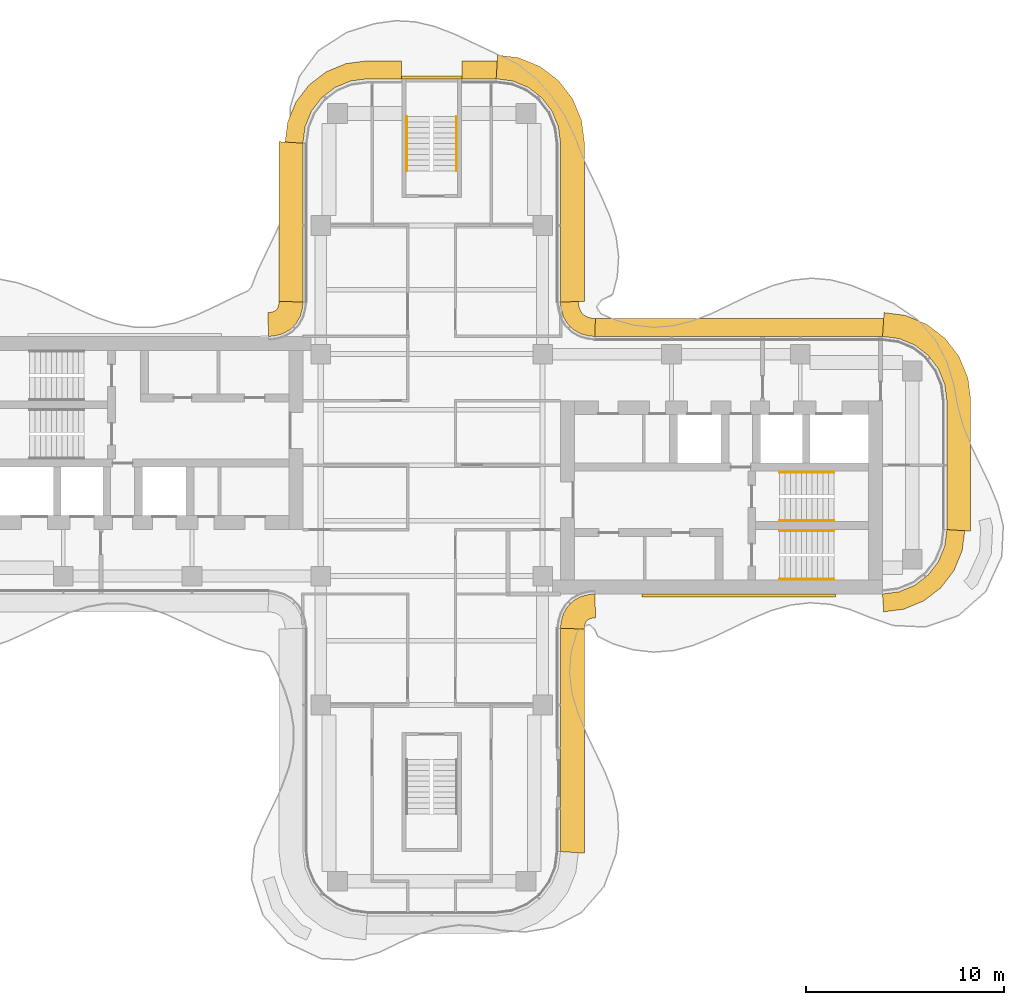
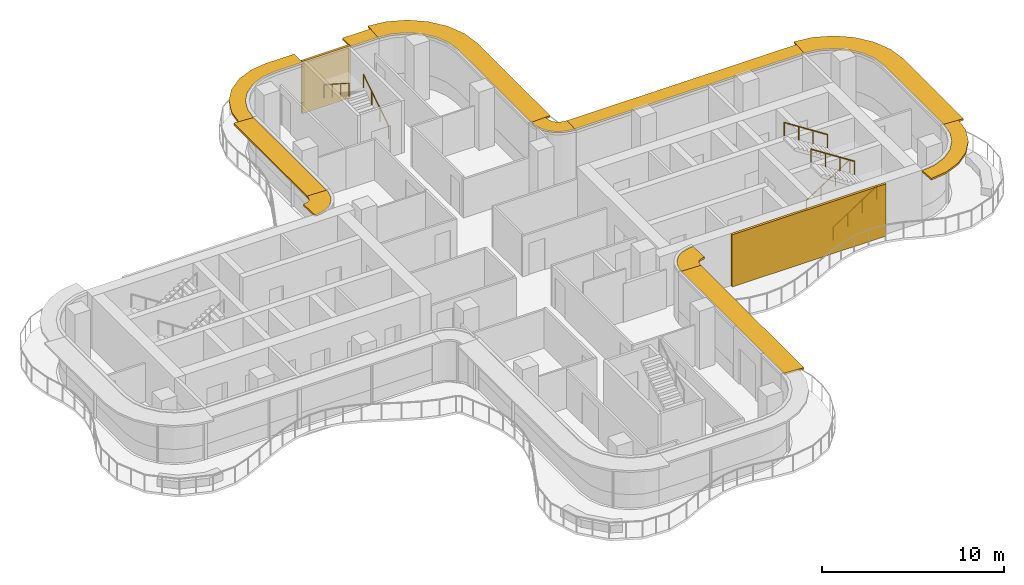
# One storey, part 15 of 15: 11 shading devices, 6 railings, 2 coverings.
"""IFC4 building model written with IfcOpenShell, lengths in metres."""

import ifcopenshell
import ifcopenshell.guid

model = None  # the IFC model being written
_history = None  # IfcOwnerHistory: only IFC2X3 demands one
_inside = {}  # id of a spatial element -> (the spatial element, [elements in it])
_under = {}  # id of a project, library or spatial element -> (it, [spatial elements below it])
_declared = {}  # id of a project -> (the project, [libraries it declares])
_typed = {}  # id of a type object -> (the type object, [elements of that type])
_made_of = {}  # id of a material, layer set ... -> (it, [elements and type objects made of it])


def new_model(schema):
    """Start an empty IFC model of exactly this schema.

    Asked for "IFC4X3", IfcOpenShell would pick the latest addendum, in which some entities
    have other attributes; the version numbers below select the first issue.
    IFC2X3 requires an IfcOwnerHistory on every rooted entity: one is made here for all.
    """
    global model, _history
    if schema == "IFC4X3":
        model = ifcopenshell.file(schema_version=(4, 3, 0, 0))
    else:
        model = ifcopenshell.file(schema=schema)
    _inside.clear()
    _under.clear()
    _declared.clear()
    _typed.clear()
    _made_of.clear()
    _history = None
    if model.schema == "IFC2X3":
        org = make("IfcOrganization", Name="unknown")
        user = make(
            "IfcPersonAndOrganization",
            ThePerson=make("IfcPerson", FamilyName="unknown"),
            TheOrganization=org,
        )
        app = make(
            "IfcApplication",
            ApplicationDeveloper=org,
            Version="unknown",
            ApplicationFullName="unknown",
            ApplicationIdentifier="unknown",
        )
        _history = make(
            "IfcOwnerHistory",
            OwningUser=user,
            OwningApplication=app,
            ChangeAction="ADDED",
            CreationDate=0,
        )
    return model


def make(cls, **values):
    """One entity of the class cls with the attributes given. An attribute that is None is left unset."""
    return model.create_entity(
        cls, **{name: value for name, value in values.items() if value is not None}
    )


def rooted(cls, **values):
    """An entity with a GlobalId (a new one), such as an element, a storey or a relation."""
    return make(cls, GlobalId=ifcopenshell.guid.new(), OwnerHistory=_history, **values)


def si_unit(unit_type, name, prefix=None):
    """IfcSIUnit, for example si_unit("LENGTHUNIT", "METRE", prefix="MILLI")."""
    return make("IfcSIUnit", UnitType=unit_type, Prefix=prefix, Name=name)


def assignment(units):
    """IfcUnitAssignment: the units of a project."""
    return None if units is None else make("IfcUnitAssignment", Units=units)


def point(xyz):
    """IfcCartesianPoint."""
    return None if xyz is None else make("IfcCartesianPoint", Coordinates=xyz)


def direction(xyz):
    """IfcDirection."""
    return None if xyz is None else make("IfcDirection", DirectionRatios=xyz)


def frame(location, z_axis=None, x_axis=None):
    """IfcAxis2Placement3D, a coordinate frame: its origin and axes. An axis left out is left unset."""
    return make(
        "IfcAxis2Placement3D",
        Location=point(location),
        Axis=direction(z_axis),
        RefDirection=direction(x_axis),
    )


def frame_2d(location, x_axis=None):
    """IfcAxis2Placement2D, a coordinate frame in the plane: its origin and x axis."""
    return make(
        "IfcAxis2Placement2D", Location=point(location), RefDirection=direction(x_axis)
    )


def origin():
    """The frame at (0, 0, 0) with its axes left unset."""
    return frame((0.0, 0.0, 0.0))


def origin_2d():
    """The frame at (0, 0) in the plane with its x axis left unset."""
    return frame_2d((0.0, 0.0))


def place(relative_to, where):
    """IfcLocalPlacement: puts the frame where relative to a parent placement (None: the world)."""
    return make(
        "IfcLocalPlacement", PlacementRelTo=relative_to, RelativePlacement=where
    )


def context(
    kind, dimensions, precision=None, world=None, true_north=None, identifier=None
):
    """IfcGeometricRepresentationContext, for example the 3D "Model" context."""
    return make(
        "IfcGeometricRepresentationContext",
        ContextIdentifier=identifier,
        ContextType=kind,
        CoordinateSpaceDimension=dimensions,
        Precision=precision,
        WorldCoordinateSystem=world,
        TrueNorth=true_north,
    )


def subcontext(parent, identifier, kind, view, scale=None):
    """IfcGeometricRepresentationSubContext, for example "Body" below "Model"."""
    return make(
        "IfcGeometricRepresentationSubContext",
        ContextIdentifier=identifier,
        ContextType=kind,
        ParentContext=parent,
        TargetScale=scale,
        TargetView=view,
    )


def project(units=None, contexts=None):
    """IfcProject with its units and contexts."""
    return rooted(
        "IfcProject",
        Name="project",
        RepresentationContexts=contexts,
        UnitsInContext=assignment(units),
    )


def spatial(cls, under=None, at=None, **own):
    """A site, building, storey or space (cls), placed at a placement, below another one or the project."""
    s = rooted(cls, ObjectPlacement=at, **own)
    if under is not None:
        _under.setdefault(under.id(), (under, []))[1].append(s)
    return s


def polyline(points):
    """IfcPolyline through the points."""
    return make("IfcPolyline", Points=[point(p) for p in points])


def profile(cls, at=None, kind="AREA", **sizes):
    """A parametric profile (cls). Its sizes go by their IFC names, for example OverallWidth=200.0."""
    return make(cls, ProfileType=kind, Position=at, **sizes)


def circle(**sizes):
    """IfcCircleProfileDef."""
    return profile("IfcCircleProfileDef", **sizes)


def outline(outer, holes=None, kind="AREA"):
    """IfcArbitraryClosedProfileDef: a profile drawn as a closed curve; with holes, ...WithVoids."""
    if holes is None:
        return make("IfcArbitraryClosedProfileDef", ProfileType=kind, OuterCurve=outer)
    return make(
        "IfcArbitraryProfileDefWithVoids",
        ProfileType=kind,
        OuterCurve=outer,
        InnerCurves=holes,
    )


def extrude(swept, where, along, depth):
    """IfcExtrudedAreaSolid: the profile swept, set in the frame where, extruded along a direction by depth."""
    return make(
        "IfcExtrudedAreaSolid",
        SweptArea=swept,
        Position=where,
        ExtrudedDirection=direction(along),
        Depth=depth,
    )


def shape(context_of_items, identifier, shape_type, items):
    """IfcShapeRepresentation: the items that make up one representation, for example the "Body"."""
    return make(
        "IfcShapeRepresentation",
        ContextOfItems=context_of_items,
        RepresentationIdentifier=identifier,
        RepresentationType=shape_type,
        Items=items,
    )


def source(mapping_origin, context_of_items, identifier, shape_type, items):
    """IfcRepresentationMap: a shape defined once, which mapped items show again and again."""
    return make(
        "IfcRepresentationMap",
        MappingOrigin=mapping_origin,
        MappedRepresentation=shape(context_of_items, identifier, shape_type, items),
    )


def transform(
    local_origin,
    x_axis=None,
    y_axis=None,
    z_axis=None,
    scale=None,
    scale2=None,
    scale3=None,
    uniform=True,
):
    """IfcCartesianTransformationOperator3D, or its non-uniform kind. x_axis, y_axis, z_axis: its Axis1, 2, 3."""
    if uniform:
        return make(
            "IfcCartesianTransformationOperator3D",
            Axis1=direction(x_axis),
            Axis2=direction(y_axis),
            LocalOrigin=point(local_origin),
            Scale=scale,
            Axis3=direction(z_axis),
        )
    return make(
        "IfcCartesianTransformationOperator3DnonUniform",
        Axis1=direction(x_axis),
        Axis2=direction(y_axis),
        LocalOrigin=point(local_origin),
        Scale=scale,
        Axis3=direction(z_axis),
        Scale2=scale2,
        Scale3=scale3,
    )


def mapped(mapping_source, mapping_target):
    """IfcMappedItem: shows the shape of a source again, moved by a transform."""
    return make(
        "IfcMappedItem", MappingSource=mapping_source, MappingTarget=mapping_target
    )


def material(Name=None, Category=None):
    """IfcMaterial."""
    return make("IfcMaterial", Name=Name, Category=Category)


def layer(
    of_material, thickness, ventilated=None, Name=None, Category=None, Priority=None
):
    """IfcMaterialLayer: one layer of a wall or slab, of a material (None: an air gap)."""
    return make(
        "IfcMaterialLayer",
        Material=of_material,
        LayerThickness=thickness,
        IsVentilated=ventilated,
        Name=Name,
        Category=Category,
        Priority=Priority,
    )


def layer_set(layers, Name=None):
    """IfcMaterialLayerSet."""
    return make("IfcMaterialLayerSet", MaterialLayers=layers, LayerSetName=Name)


def made_of(thing, what):
    """Note that an element or type object is made of a material, layer set ...; save() writes the relation."""
    if what is not None:
        _made_of.setdefault(what.id(), (what, []))[1].append(thing)
    return thing


def type_object(cls, material=None, **own):
    """A type object (cls), such as IfcWallType, which elements share."""
    return made_of(rooted(cls, **own), material)


def element(
    cls,
    number,
    at=None,
    inside=None,
    cuts=None,
    type_object=None,
    material=None,
    context=None,
    identifier="Body",
    shape_type=None,
    held_by="IfcProductDefinitionShape",
    body=None,
    shapes=None,
    **own,
):
    """One element of the class cls, such as IfcWall. Its Tag is "e" and its number.

    at: its placement. inside: the storey or other place that contains it. cuts: it is an
    opening in that element (IfcRelVoidsElement). A single representation is given by context,
    identifier, shape_type and body (its items); several are given by shapes. held_by: the class
    of the entity that holds the representations. save() writes the other relations.
    """
    e = rooted(cls, Tag="e%d" % number, ObjectPlacement=at, **own)
    if body is not None:
        shapes = [shape(context, identifier, shape_type, body)]
    if shapes is not None:
        e.Representation = make(held_by, Representations=shapes)
    if inside is not None:
        _inside.setdefault(inside.id(), (inside, []))[1].append(e)
    if cuts is not None:
        rooted(
            "IfcRelVoidsElement", RelatingBuildingElement=cuts, RelatedOpeningElement=e
        )
    if type_object is not None:
        _typed.setdefault(type_object.id(), (type_object, []))[1].append(e)
    return made_of(e, material)


def aggregate(whole, parts):
    """IfcRelAggregates: a whole, such as a stair, and the parts it consists of."""
    return rooted("IfcRelAggregates", RelatingObject=whole, RelatedObjects=parts)


def save(model, path):
    """Write the relations noted so far, then the file.

    IfcRelAggregates (storeys below a building ...), IfcRelContainedInSpatialStructure (elements
    in a storey), IfcRelDefinesByType, IfcRelAssociatesMaterial and IfcRelDeclares: one each for
    every whole, place, type object, material and project.
    """
    for whole, parts in _under.values():
        aggregate(whole, parts)
    for where, things in _inside.values():
        rooted(
            "IfcRelContainedInSpatialStructure",
            RelatedElements=things,
            RelatingStructure=where,
        )
    for kind, things in _typed.values():
        rooted("IfcRelDefinesByType", RelatedObjects=things, RelatingType=kind)
    for what, things in _made_of.values():
        rooted("IfcRelAssociatesMaterial", RelatedObjects=things, RelatingMaterial=what)
    for by, libraries in _declared.values():
        rooted("IfcRelDeclares", RelatingContext=by, RelatedDefinitions=libraries)
    model.write(path)


model = new_model("IFC4")

# Units and contexts
model_context = context("Model", 3, precision=1e-05, world=origin(), true_north=direction((0.0, 1.0)))
body_context = subcontext(model_context, "Body", "Model", "MODEL_VIEW")
ifc_project = project(units=[si_unit("LENGTHUNIT", "METRE"), si_unit("AREAUNIT", "SQUARE_METRE"), si_unit("VOLUMEUNIT", "CUBIC_METRE"), si_unit("PLANEANGLEUNIT", "RADIAN"), si_unit("MASSUNIT", "GRAM", prefix="KILO")], contexts=[model_context])

# Site, building, storey
site_placement = place(None, origin())
site = spatial("IfcSite", under=ifc_project, at=site_placement, CompositionType="ELEMENT")
building_placement = place(site_placement, origin())
building = spatial("IfcBuilding", under=site, at=building_placement, Name="Trellis Farm Tower", CompositionType="ELEMENT")
storey_placement = place(building_placement, frame((0.0, 0.0, 326.199951171875)))
storey = spatial("IfcBuildingStorey", under=building, at=storey_placement, Name="L74", CompositionType="ELEMENT", Elevation=326.199951171875)

# Coverings
ifc_material_1 = material(Name="Perforated precast screen (cobogo)", Category="concrete")
ifc_layer_1 = layer(ifc_material_1, 0.14990234375)
ifc_layer_set_1 = layer_set([ifc_layer_1], Name="COBOGO SCREEN PANEL")
covering_type = type_object("IfcCoveringType", Name="COBOGO SCREEN PANEL", PredefinedType="USERDEFINED", material=ifc_layer_set_1)
placement_1 = place(storey_placement, origin())
element("IfcCovering", 1, at=placement_1, inside=storey, type_object=covering_type, Name="SC1 01", ObjectType="SCREEN", PredefinedType="USERDEFINED", context=body_context, shape_type="SweptSolid", body=[
    extrude(outline(polyline([(10.61572265625, -6.64990234375), (20.36572265625, -6.64990234375), (20.36572265625, -6.5), (10.61572265625, -6.5), (10.61572265625, -6.64990234375)])), origin(), (0.0, 0.0, 1.0), 3.5),
])
element("IfcCovering", 2, at=placement_1, inside=storey, type_object=covering_type, Name="SC1 02", ObjectType="SCREEN", PredefinedType="USERDEFINED", context=body_context, shape_type="SweptSolid", body=[
    extrude(outline(polyline([(1.530029296875, 19.64990234375), (-1.530029296875, 19.64990234375), (-1.530029296875, 19.5), (1.530029296875, 19.5), (1.530029296875, 19.64990234375)])), origin(), (0.0, 0.0, 1.0), 3.5),
])

# Railings
ifc_material_2 = material(Name="Stainless steel", Category="steel")
railing_type = type_object("IfcRailingType", Name="STAIR HANDRAIL 900", PredefinedType="HANDRAIL", material=ifc_material_2)
shared_shape_1 = source(origin(), body_context, "Body", "SweptSolid", [
    extrude(circle(Radius=0.02392578125, at=origin_2d()), frame((0.0, 0.0, 0.8759765625), z_axis=(0.0, 0.840503830235, 0.541805602924), x_axis=(-1.0, 0.0, 0.0)), (0.0, 0.0, 1.0), 3.271728515625),
    extrude(circle(Radius=0.02099609375, at=origin_2d()), origin(), (0.0, 0.0, 1.0), 0.851806640625),
    extrude(circle(Radius=0.02099609375, at=origin_2d()), frame((0.0, 0.916748046875, 0.5908203125)), (0.0, 0.0, 1.0), 0.851806640625),
    extrude(circle(Radius=0.02099609375, at=origin_2d()), frame((0.0, 1.833251953125, 1.181884765625)), (0.0, 0.0, 1.0), 0.851806640625),
    extrude(circle(Radius=0.02099609375, at=origin_2d()), frame((0.0, 2.75, 1.772705078125)), (0.0, 0.0, 1.0), 0.851806640625),
])
railing_1_placement = place(storey_placement, frame((1.25, 14.85009765625, 0.17724609375)))
element("IfcRailing", 3, at=railing_1_placement, inside=storey, type_object=railing_type, Name="Stair handrail", PredefinedType="HANDRAIL", context=body_context, shape_type="MappedRepresentation", body=[
    mapped(shared_shape_1, transform((0.0, 0.0, 0.0))),
])
shared_shape_2 = source(origin(), body_context, "Body", "SweptSolid", [
    extrude(circle(Radius=0.02392578125, at=origin_2d()), frame((0.0, 0.0, 0.8759765625), z_axis=(0.0, -0.840503830235, 0.541805602924), x_axis=(1.0, 0.0, 0.0)), (0.0, 0.0, 1.0), 3.271728515625),
    extrude(circle(Radius=0.02099609375, at=origin_2d()), origin(), (0.0, 0.0, 1.0), 0.851806640625),
    extrude(circle(Radius=0.02099609375, at=origin_2d()), frame((0.0, -0.916748046875, 0.5908203125)), (0.0, 0.0, 1.0), 0.851806640625),
    extrude(circle(Radius=0.02099609375, at=origin_2d()), frame((0.0, -1.833251953125, 1.181884765625)), (0.0, 0.0, 1.0), 0.851806640625),
    extrude(circle(Radius=0.02099609375, at=origin_2d()), frame((0.0, -2.75, 1.772705078125)), (0.0, 0.0, 1.0), 0.851806640625),
])
railing_2_placement = place(storey_placement, frame((-1.25, 17.60009765625, 2.12744140625)))
element("IfcRailing", 4, at=railing_2_placement, inside=storey, type_object=railing_type, Name="Stair handrail", PredefinedType="HANDRAIL", context=body_context, shape_type="MappedRepresentation", body=[
    mapped(shared_shape_2, transform((0.0, 0.0, 0.0))),
])
shared_shape_3 = source(origin(), body_context, "Body", "SweptSolid", [
    extrude(circle(Radius=0.02392578125, at=origin_2d()), frame((0.0, 0.0, 0.8759765625), z_axis=(0.840503830235, 0.0, 0.541805602924), x_axis=(0.0, 1.0, 0.0)), (0.0, 0.0, 1.0), 3.271728515625),
    extrude(circle(Radius=0.02099609375, at=origin_2d()), origin(), (0.0, 0.0, 1.0), 0.851806640625),
    extrude(circle(Radius=0.02099609375, at=origin_2d()), frame((0.916748046875, 0.0, 0.5908203125)), (0.0, 0.0, 1.0), 0.851806640625),
    extrude(circle(Radius=0.02099609375, at=origin_2d()), frame((1.833251953125, 0.0, 1.181884765625)), (0.0, 0.0, 1.0), 0.851806640625),
    extrude(circle(Radius=0.02099609375, at=origin_2d()), frame((2.75, 0.0, 1.772705078125)), (0.0, 0.0, 1.0), 0.851806640625),
])
for number, where, name in (
    (5, (17.550048828125, -5.75, 0.17724609375), "Stair handrail"),
    (6, (17.550048828125, -2.800048828125, 0.17724609375), "Stair handrail"),
):
    element("IfcRailing", number, at=place(storey_placement, frame(where)), inside=storey, type_object=railing_type, Name=name, PredefinedType="HANDRAIL", context=body_context, shape_type="MappedRepresentation", body=[
        mapped(shared_shape_3, transform((0.0, 0.0, 0.0))),
    ])
shared_shape_4 = source(origin(), body_context, "Body", "SweptSolid", [
    extrude(circle(Radius=0.02392578125, at=origin_2d()), frame((0.0, 0.0, 0.8759765625), z_axis=(-0.840503830235, 0.0, 0.541805602924), x_axis=(0.0, -1.0, 0.0)), (0.0, 0.0, 1.0), 3.271728515625),
    extrude(circle(Radius=0.02099609375, at=origin_2d()), origin(), (0.0, 0.0, 1.0), 0.851806640625),
    extrude(circle(Radius=0.02099609375, at=origin_2d()), frame((-0.916748046875, 0.0, 0.5908203125)), (0.0, 0.0, 1.0), 0.851806640625),
    extrude(circle(Radius=0.02099609375, at=origin_2d()), frame((-1.833251953125, 0.0, 1.181884765625)), (0.0, 0.0, 1.0), 0.851806640625),
    extrude(circle(Radius=0.02099609375, at=origin_2d()), frame((-2.75, 0.0, 1.772705078125)), (0.0, 0.0, 1.0), 0.851806640625),
])
for number, where, name in (
    (7, (20.300048828125, -3.300048828125, 2.12744140625), "Stair handrail"),
    (8, (20.300048828125, -0.35009765625, 2.12744140625), "Stair handrail"),
):
    element("IfcRailing", number, at=place(storey_placement, frame(where)), inside=storey, type_object=railing_type, Name=name, PredefinedType="HANDRAIL", context=body_context, shape_type="MappedRepresentation", body=[
        mapped(shared_shape_4, transform((0.0, 0.0, 0.0))),
    ])

# Shading devices
ifc_material_3 = material(Name="Aluminium extrusion 6063-T6", Category="aluminium")
ifc_layer_2 = layer(ifc_material_3, 0.1201171875)
ifc_layer_set_2 = layer_set([ifc_layer_2], Name="SUNSHADE BLADE 1200")
shading_device_type_1 = type_object("IfcShadingDeviceType", Name="SUNSHADE BLADE 1200", PredefinedType="USERDEFINED", material=ifc_layer_set_2)
shared_shape_5 = source(origin(), body_context, "Body", "SweptSolid", [
    extrude(outline(polyline([(7.699951171875, -8.270751953125), (7.708740234375, -8.13720703125), (7.70703125, -8.150146484375), (7.7548828125, -7.9716796875), (7.80712890625, -7.881103515625), (7.881103515625, -7.80712890625), (7.9716796875, -7.7548828125), (8.150146484375, -7.70703125), (8.13720703125, -7.708740234375), (8.270751953125, -7.699951171875), (8.2314453125, -6.5), (8.01953125, -6.513916015625), (7.91552734375, -6.527587890625), (7.508544921875, -6.63671875), (7.144287109375, -6.846923828125), (6.846923828125, -7.144287109375), (6.63671875, -7.508544921875), (6.527587890625, -7.91552734375), (6.513916015625, -8.01953125), (6.5, -8.2314453125), (7.699951171875, -8.270751953125)])), origin(), (0.0, 0.0, 1.0), 0.119873046875),
])
placement_2 = place(storey_placement, frame((0.0, 0.0, 3.340087890625)))
element("IfcShadingDevice", 9, at=placement_2, inside=storey, type_object=shading_device_type_1, Name="SD2 006", ObjectType="SUNSHADE", PredefinedType="USERDEFINED", context=body_context, shape_type="MappedRepresentation", body=[
    mapped(shared_shape_5, transform((0.0, 0.0, 0.0))),
])
ifc_layer_3 = layer(ifc_material_3, 0.1201171875)
ifc_layer_set_3 = layer_set([ifc_layer_3], Name="SUNSHADE BLADE 900")
shading_device_type_2 = type_object("IfcShadingDeviceType", Name="SUNSHADE BLADE 900", PredefinedType="USERDEFINED", material=ifc_layer_set_3)
shared_shape_6 = source(origin(), body_context, "Body", "SweptSolid", [
    extrude(outline(polyline([(8.2607421875, 7.39990234375), (8.107666015625, 7.409912109375), (8.091552734375, 7.412109375), (7.85595703125, 7.475341796875), (7.697021484375, 7.567138671875), (7.567138671875, 7.697021484375), (7.475341796875, 7.85595703125), (7.412109375, 8.091552734375), (7.409912109375, 8.107666015625), (7.39990234375, 8.2607421875), (6.5, 8.2314453125), (6.513916015625, 8.01953125), (6.527587890625, 7.91552734375), (6.63671875, 7.508544921875), (6.846923828125, 7.144287109375), (7.144287109375, 6.846923828125), (7.508544921875, 6.63671875), (7.91552734375, 6.527587890625), (8.01953125, 6.513916015625), (8.2314453125, 6.5), (8.2607421875, 7.39990234375)])), origin(), (0.0, 0.0, 1.0), 0.119873046875),
])
element("IfcShadingDevice", 10, at=placement_2, inside=storey, type_object=shading_device_type_2, Name="SD1 010", ObjectType="SUNSHADE", PredefinedType="USERDEFINED", context=body_context, shape_type="MappedRepresentation", body=[
    mapped(shared_shape_6, transform((0.0, 0.0, 0.0))),
])
shared_shape_7 = source(origin(), body_context, "Body", "SweptSolid", [
    extrude(outline(polyline([(-7.699951171875, 8.270751953125), (-7.708740234375, 8.13720703125), (-7.70703125, 8.150146484375), (-7.7548828125, 7.9716796875), (-7.80712890625, 7.881103515625), (-7.881103515625, 7.80712890625), (-7.9716796875, 7.7548828125), (-8.150146484375, 7.70703125), (-8.13720703125, 7.708740234375), (-8.270751953125, 7.699951171875), (-8.2314453125, 6.5), (-8.01953125, 6.513916015625), (-7.91552734375, 6.527587890625), (-7.508544921875, 6.63671875), (-7.144287109375, 6.846923828125), (-6.846923828125, 7.144287109375), (-6.63671875, 7.508544921875), (-6.527587890625, 7.91552734375), (-6.513916015625, 8.01953125), (-6.5, 8.2314453125), (-7.699951171875, 8.270751953125)])), origin(), (0.0, 0.0, 1.0), 0.119873046875),
])
element("IfcShadingDevice", 11, at=placement_2, inside=storey, type_object=shading_device_type_1, Name="SD2 015", ObjectType="SUNSHADE", PredefinedType="USERDEFINED", context=body_context, shape_type="MappedRepresentation", body=[
    mapped(shared_shape_7, transform((0.0, 0.0, 0.0))),
])
shared_shape_8 = source(origin(), body_context, "Body", "SweptSolid", [
    extrude(outline(polyline([(22.80908203125, -7.39990234375), (23.826171875, -7.26611328125), (24.828857421875, -6.850830078125), (25.68994140625, -6.18994140625), (26.350830078125, -5.328857421875), (26.76611328125, -4.326171875), (26.89990234375, -3.30908203125), (26.0, -3.25), (25.88916015625, -4.091064453125), (25.564697265625, -4.875), (25.048095703125, -5.548095703125), (24.375, -6.064697265625), (23.591064453125, -6.38916015625), (22.75, -6.5), (22.80908203125, -7.39990234375)])), origin(), (0.0, 0.0, 1.0), 0.119873046875),
])
element("IfcShadingDevice", 12, at=placement_2, inside=storey, type_object=shading_device_type_2, Name="SD1 007", ObjectType="SUNSHADE", PredefinedType="USERDEFINED", context=body_context, shape_type="MappedRepresentation", body=[
    mapped(shared_shape_8, transform((0.0, 0.0, 0.0))),
])
shared_shape_9 = source(origin(), body_context, "Body", "SweptSolid", [
    extrude(outline(polyline([(27.199951171875, -3.32861328125), (27.199951171875, 3.32861328125), (27.058349609375, 4.404541015625), (26.61279296875, 5.480224609375), (25.904052734375, 6.404052734375), (24.980224609375, 7.11279296875), (23.904541015625, 7.558349609375), (22.82861328125, 7.699951171875), (22.75, 6.5), (23.591064453125, 6.38916015625), (24.375, 6.064697265625), (25.048095703125, 5.548095703125), (25.564697265625, 4.875), (25.88916015625, 4.091064453125), (26.0, 3.25), (26.0, -3.25), (27.199951171875, -3.32861328125)])), origin(), (0.0, 0.0, 1.0), 0.119873046875),
])
element("IfcShadingDevice", 13, at=placement_2, inside=storey, type_object=shading_device_type_1, Name="SD2 008", ObjectType="SUNSHADE", PredefinedType="USERDEFINED", context=body_context, shape_type="MappedRepresentation", body=[
    mapped(shared_shape_9, transform((0.0, 0.0, 0.0))),
])
shared_shape_10 = source(origin(), body_context, "Body", "SweptSolid", [
    extrude(outline(polyline([(22.80908203125, 7.39990234375), (8.2607421875, 7.39990234375), (8.2314453125, 6.5), (22.75, 6.5), (22.80908203125, 7.39990234375)])), origin(), (0.0, 0.0, 1.0), 0.119873046875),
])
element("IfcShadingDevice", 14, at=placement_2, inside=storey, type_object=shading_device_type_2, Name="SD1 009", ObjectType="SUNSHADE", PredefinedType="USERDEFINED", context=body_context, shape_type="MappedRepresentation", body=[
    mapped(shared_shape_10, transform((0.0, 0.0, 0.0))),
])
shared_shape_11 = source(origin(), body_context, "Body", "SweptSolid", [
    extrude(outline(polyline([(7.699951171875, -19.57861328125), (7.699951171875, -8.270751953125), (6.5, -8.2314453125), (6.5, -19.5), (7.699951171875, -19.57861328125)])), origin(), (0.0, 0.0, 1.0), 0.119873046875),
])
element("IfcShadingDevice", 15, at=placement_2, inside=storey, type_object=shading_device_type_1, Name="SD2 005", ObjectType="SUNSHADE", PredefinedType="USERDEFINED", context=body_context, shape_type="MappedRepresentation", body=[
    mapped(shared_shape_11, transform((0.0, 0.0, 0.0))),
])
shared_shape_12 = source(origin(), body_context, "Body", "SweptSolid", [
    extrude(outline(polyline([(7.699951171875, 8.270751953125), (7.699951171875, 16.32861328125), (7.558349609375, 17.404541015625), (7.11279296875, 18.480224609375), (6.404052734375, 19.404052734375), (5.480224609375, 20.11279296875), (4.404541015625, 20.558349609375), (3.32861328125, 20.699951171875), (3.25, 19.5), (4.091064453125, 19.38916015625), (4.875, 19.064697265625), (5.548095703125, 18.548095703125), (6.064697265625, 17.875), (6.38916015625, 17.091064453125), (6.5, 16.25), (6.5, 8.2314453125), (7.699951171875, 8.270751953125)])), origin(), (0.0, 0.0, 1.0), 0.119873046875),
])
element("IfcShadingDevice", 16, at=placement_2, inside=storey, type_object=shading_device_type_1, Name="SD2 011", ObjectType="SUNSHADE", PredefinedType="USERDEFINED", context=body_context, shape_type="MappedRepresentation", body=[
    mapped(shared_shape_12, transform((0.0, 0.0, 0.0))),
])
shared_shape_13 = source(origin(), body_context, "Body", "SweptSolid", [
    extrude(outline(polyline([(3.30908203125, 20.39990234375), (1.530029296875, 20.39990234375), (1.530029296875, 19.5), (3.25, 19.5), (3.30908203125, 20.39990234375)])), origin(), (0.0, 0.0, 1.0), 0.119873046875),
])
element("IfcShadingDevice", 17, at=placement_2, inside=storey, type_object=shading_device_type_2, Name="SD1 012", ObjectType="SUNSHADE", PredefinedType="USERDEFINED", context=body_context, shape_type="MappedRepresentation", body=[
    mapped(shared_shape_13, transform((0.0, 0.0, 0.0))),
])
shared_shape_14 = source(origin(), body_context, "Body", "SweptSolid", [
    extrude(outline(polyline([(-1.530029296875, 20.39990234375), (-3.30908203125, 20.39990234375), (-4.326171875, 20.26611328125), (-5.328857421875, 19.850830078125), (-6.18994140625, 19.18994140625), (-6.850830078125, 18.328857421875), (-7.26611328125, 17.326171875), (-7.39990234375, 16.30908203125), (-6.5, 16.25), (-6.38916015625, 17.091064453125), (-6.064697265625, 17.875), (-5.548095703125, 18.548095703125), (-4.875, 19.064697265625), (-4.091064453125, 19.38916015625), (-3.25, 19.5), (-1.530029296875, 19.5), (-1.530029296875, 20.39990234375)])), origin(), (0.0, 0.0, 1.0), 0.119873046875),
])
element("IfcShadingDevice", 18, at=placement_2, inside=storey, type_object=shading_device_type_2, Name="SD1 013", ObjectType="SUNSHADE", PredefinedType="USERDEFINED", context=body_context, shape_type="MappedRepresentation", body=[
    mapped(shared_shape_14, transform((0.0, 0.0, 0.0))),
])
shared_shape_15 = source(origin(), body_context, "Body", "SweptSolid", [
    extrude(outline(polyline([(-7.699951171875, 16.32861328125), (-7.699951171875, 8.270751953125), (-6.5, 8.2314453125), (-6.5, 16.25), (-7.699951171875, 16.32861328125)])), origin(), (0.0, 0.0, 1.0), 0.119873046875),
])
element("IfcShadingDevice", 19, at=placement_2, inside=storey, type_object=shading_device_type_1, Name="SD2 014", ObjectType="SUNSHADE", PredefinedType="USERDEFINED", context=body_context, shape_type="MappedRepresentation", body=[
    mapped(shared_shape_15, transform((0.0, 0.0, 0.0))),
])

save(model, "model.ifc")
